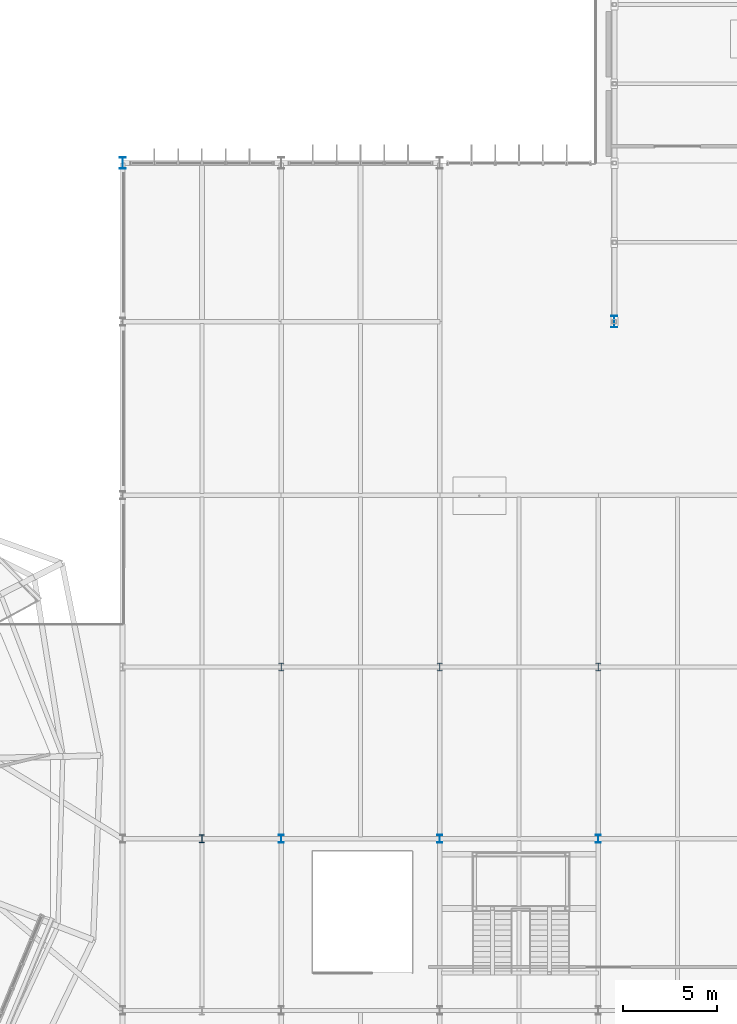
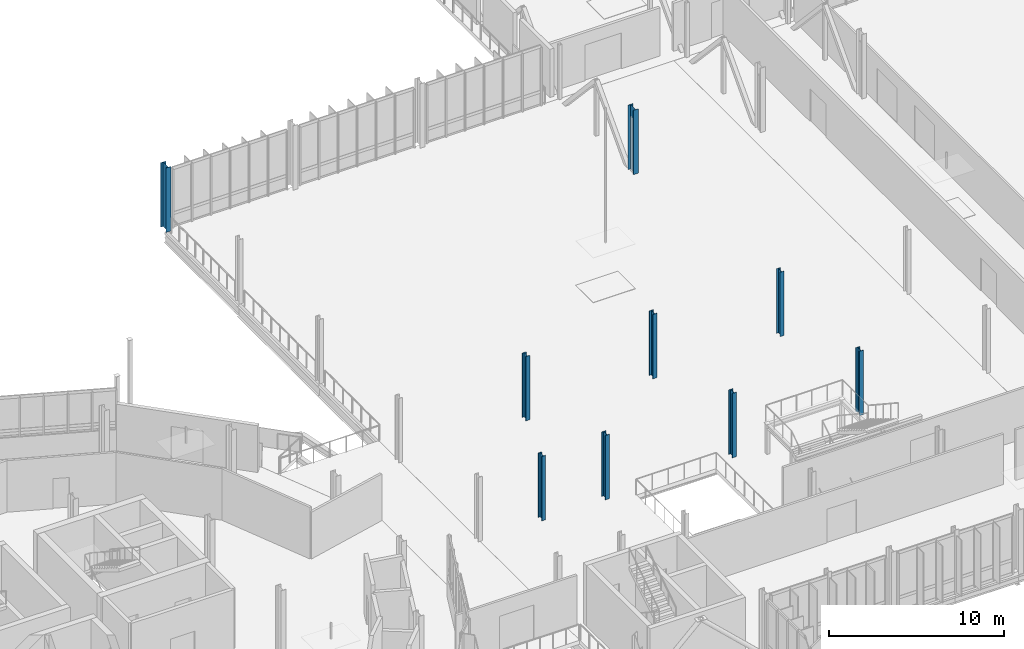
# One storey, part 10 of 139: 9 columns.
"""IFC4 building model written with IfcOpenShell, lengths in metres."""

from ifc_helpers import new_model, si_unit, derived_unit, direction, frame, origin, origin_2d, place, context, subcontext, project, spatial, i_section, extrude, material, material_profile, profile_set, type_object, element, save


model = new_model("IFC4")

# Units and contexts
model_context = context("Model", 3, precision=1e-05, world=origin(), true_north=direction((0.0, 1.0)))
body_context = subcontext(model_context, "Body", "Model", "MODEL_VIEW")
ifc_project = project(units=[si_unit("LENGTHUNIT", "METRE"), si_unit("AREAUNIT", "SQUARE_METRE"), si_unit("VOLUMEUNIT", "CUBIC_METRE"), si_unit("PLANEANGLEUNIT", "RADIAN"), si_unit("MASSUNIT", "GRAM", prefix="KILO"), derived_unit("THERMALTRANSMITTANCEUNIT", [(si_unit("MASSUNIT", "GRAM", prefix="KILO"), 1), (si_unit("TIMEUNIT", "SECOND"), -3), (si_unit("THERMODYNAMICTEMPERATUREUNIT", "KELVIN"), -1)])], contexts=[model_context])

# Site, building, storey
site_placement = place(None, origin())
site = spatial("IfcSite", under=ifc_project, at=site_placement, CompositionType="ELEMENT")
building_placement = place(site_placement, origin())
building = spatial("IfcBuilding", under=site, at=building_placement, Name="Makaiwela Harbour Ferry Terminal", CompositionType="ELEMENT")
storey_placement = place(building_placement, frame((0.0, 0.0, 5.10009765625)))
storey = spatial("IfcBuildingStorey", under=building, at=storey_placement, Name="L01", CompositionType="ELEMENT", Elevation=5.10009765625)

# Columns
ifc_material = material(Name="Steel ASTM A992 Grade 50", Category="steel")
ifc_material_profile_1 = material_profile(ifc_material, i_section(OverallWidth=0.264892578125, OverallDepth=0.430908203125, WebThickness=0.014892578125, FlangeThickness=0.02490234375, at=origin_2d()), Name="W16X100")
ifc_profile_set_1 = profile_set([ifc_material_profile_1], Name="Steel ASTM A992 Grade 50")
column_type_1 = type_object("IfcColumnType", Name="STR-COL-W16X100", PredefinedType="COLUMN", material=ifc_profile_set_1)
for number, where, z_axis, x_axis, name in (
    (1, (71.39990234375, 67.60009765625, 0.0), (0.0, 0.0, 1.0), (1.0, 0.0, 0.0), "Structural Column C-03"),
    (2, (79.800048828125, 67.60009765625, 0.0), (0.0, 0.0, 1.0), (1.0, 0.0, 0.0), "Structural Column C-03"),
    (3, (88.199951171875, 67.60009765625, 0.0), (0.0, 0.0, 1.0), (1.0, 0.0, 0.0), "Structural Column C-03"),
):
    element("IfcColumn", number, at=place(storey_placement, frame(where, z_axis=z_axis, x_axis=x_axis)), inside=storey, type_object=column_type_1, Name=name, PredefinedType="COLUMN", context=body_context, shape_type="SweptSolid", body=[
        extrude(i_section(OverallWidth=0.264892578125, OverallDepth=0.430908203125, WebThickness=0.014892578125, FlangeThickness=0.02490234375, at=origin_2d()), origin(), (0.0, 0.0, 1.0), 4.5),
    ])
ifc_material_profile_2 = material_profile(ifc_material, i_section(OverallWidth=0.260986328125, OverallDepth=0.4189453125, WebThickness=0.01171875, FlangeThickness=0.019287109375, at=origin_2d()), Name="W16X77")
ifc_profile_set_2 = profile_set([ifc_material_profile_2], Name="Steel ASTM A992 Grade 50")
column_type_2 = type_object("IfcColumnType", Name="STR-COL-W16X77", PredefinedType="COLUMN", material=ifc_profile_set_2)
for number, where, z_axis, x_axis, name in (
    (4, (71.39990234375, 76.699951171875, 0.0), (0.0, 0.0, 1.0), (1.0, 0.0, 0.0), "Structural Column C-04"),
    (5, (79.800048828125, 76.699951171875, 0.0), (0.0, 0.0, 1.0), (1.0, 0.0, 0.0), "Structural Column C-04"),
    (6, (88.199951171875, 76.699951171875, 0.0), (0.0, 0.0, 1.0), (1.0, 0.0, 0.0), "Structural Column C-04"),
    (7, (67.199951171875, 67.60009765625, 0.0), (0.0, 0.0, 1.0), (1.0, 0.0, 0.0), "Structural Column C-04"),
):
    element("IfcColumn", number, at=place(storey_placement, frame(where, z_axis=z_axis, x_axis=x_axis)), inside=storey, type_object=column_type_2, Name=name, PredefinedType="COLUMN", context=body_context, shape_type="SweptSolid", body=[
        extrude(i_section(OverallWidth=0.260986328125, OverallDepth=0.4189453125, WebThickness=0.01171875, FlangeThickness=0.019287109375, at=origin_2d()), origin(), (0.0, 0.0, 1.0), 4.5),
    ])
ifc_material_profile_3 = material_profile(ifc_material, i_section(OverallWidth=0.324951171875, OverallDepth=0.615966796875, WebThickness=0.013916015625, FlangeThickness=0.021484375, at=origin_2d()), Name="W24X117")
ifc_profile_set_3 = profile_set([ifc_material_profile_3], Name="Steel ASTM A992 Grade 50")
column_type_3 = type_object("IfcColumnType", Name="STR-COL-W24X117", PredefinedType="COLUMN", material=ifc_profile_set_3)
column_1_placement = place(storey_placement, frame((89.050048828125, 95.0, 0.0), z_axis=(0.0, 0.0, 1.0), x_axis=(1.0, 0.0, 0.0)))
element("IfcColumn", 8, at=column_1_placement, inside=storey, type_object=column_type_3, Name="Structural Column C-02", PredefinedType="COLUMN", context=body_context, shape_type="SweptSolid", body=[
    extrude(i_section(OverallWidth=0.324951171875, OverallDepth=0.615966796875, WebThickness=0.013916015625, FlangeThickness=0.021484375, at=origin_2d()), origin(), (0.0, 0.0, 1.0), 4.5),
])
ifc_material_profile_4 = material_profile(ifc_material, i_section(OverallWidth=0.327880859375, OverallDepth=0.6279296875, WebThickness=0.0166015625, FlangeThickness=0.027587890625, at=origin_2d()), Name="W24X146")
ifc_profile_set_4 = profile_set([ifc_material_profile_4], Name="Steel ASTM A992 Grade 50")
column_type_4 = type_object("IfcColumnType", Name="STR-COL-W24X146", PredefinedType="COLUMN", material=ifc_profile_set_4)
column_2_placement = place(storey_placement, frame((63.0, 103.39990234375, 0.0), z_axis=(0.0, 0.0, 1.0), x_axis=(1.0, 0.0, 0.0)))
element("IfcColumn", 9, at=column_2_placement, inside=storey, type_object=column_type_4, Name="Structural Column C-01", PredefinedType="COLUMN", context=body_context, shape_type="SweptSolid", body=[
    extrude(i_section(OverallWidth=0.327880859375, OverallDepth=0.6279296875, WebThickness=0.0166015625, FlangeThickness=0.027587890625, at=origin_2d()), origin(), (0.0, 0.0, 1.0), 4.5),
])

save(model, "model.ifc")
